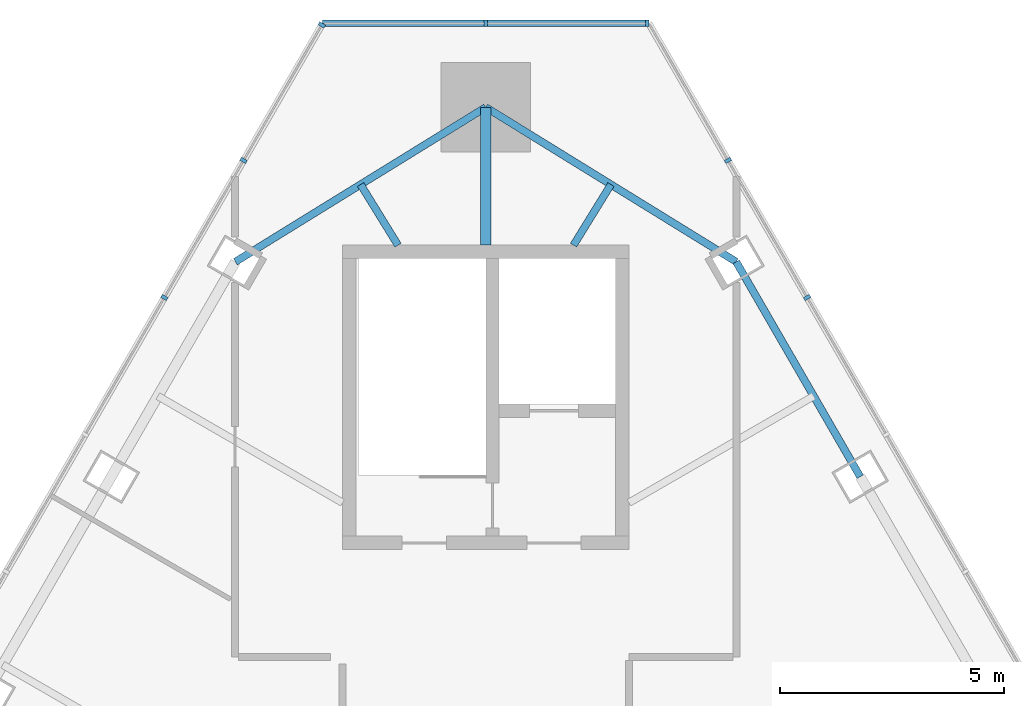
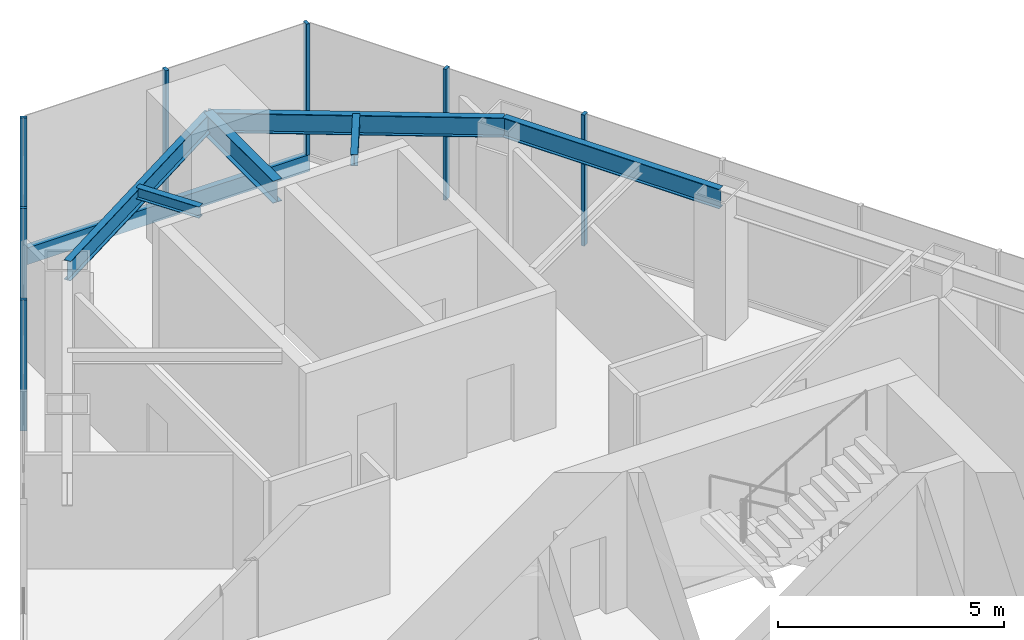
# One storey, part 9 of 13: 8 members, 6 beams, 3 elements without a shape of their own.
"""IFC4 building model written with IfcOpenShell, lengths in metres."""

import ifcopenshell
import ifcopenshell.guid

model = None  # the IFC model being written
_history = None  # IfcOwnerHistory: only IFC2X3 demands one
_inside = {}  # id of a spatial element -> (the spatial element, [elements in it])
_under = {}  # id of a project, library or spatial element -> (it, [spatial elements below it])
_declared = {}  # id of a project -> (the project, [libraries it declares])
_typed = {}  # id of a type object -> (the type object, [elements of that type])
_made_of = {}  # id of a material, layer set ... -> (it, [elements and type objects made of it])


def new_model(schema):
    """Start an empty IFC model of exactly this schema.

    Asked for "IFC4X3", IfcOpenShell would pick the latest addendum, in which some entities
    have other attributes; the version numbers below select the first issue.
    IFC2X3 requires an IfcOwnerHistory on every rooted entity: one is made here for all.
    """
    global model, _history
    if schema == "IFC4X3":
        model = ifcopenshell.file(schema_version=(4, 3, 0, 0))
    else:
        model = ifcopenshell.file(schema=schema)
    _inside.clear()
    _under.clear()
    _declared.clear()
    _typed.clear()
    _made_of.clear()
    _history = None
    if model.schema == "IFC2X3":
        org = make("IfcOrganization", Name="unknown")
        user = make(
            "IfcPersonAndOrganization",
            ThePerson=make("IfcPerson", FamilyName="unknown"),
            TheOrganization=org,
        )
        app = make(
            "IfcApplication",
            ApplicationDeveloper=org,
            Version="unknown",
            ApplicationFullName="unknown",
            ApplicationIdentifier="unknown",
        )
        _history = make(
            "IfcOwnerHistory",
            OwningUser=user,
            OwningApplication=app,
            ChangeAction="ADDED",
            CreationDate=0,
        )
    return model


def make(cls, **values):
    """One entity of the class cls with the attributes given. An attribute that is None is left unset."""
    return model.create_entity(
        cls, **{name: value for name, value in values.items() if value is not None}
    )


def rooted(cls, **values):
    """An entity with a GlobalId (a new one), such as an element, a storey or a relation."""
    return make(cls, GlobalId=ifcopenshell.guid.new(), OwnerHistory=_history, **values)


def si_unit(unit_type, name, prefix=None):
    """IfcSIUnit, for example si_unit("LENGTHUNIT", "METRE", prefix="MILLI")."""
    return make("IfcSIUnit", UnitType=unit_type, Prefix=prefix, Name=name)


def assignment(units):
    """IfcUnitAssignment: the units of a project."""
    return None if units is None else make("IfcUnitAssignment", Units=units)


def point(xyz):
    """IfcCartesianPoint."""
    return None if xyz is None else make("IfcCartesianPoint", Coordinates=xyz)


def direction(xyz):
    """IfcDirection."""
    return None if xyz is None else make("IfcDirection", DirectionRatios=xyz)


def frame(location, z_axis=None, x_axis=None):
    """IfcAxis2Placement3D, a coordinate frame: its origin and axes. An axis left out is left unset."""
    return make(
        "IfcAxis2Placement3D",
        Location=point(location),
        Axis=direction(z_axis),
        RefDirection=direction(x_axis),
    )


def frame_2d(location, x_axis=None):
    """IfcAxis2Placement2D, a coordinate frame in the plane: its origin and x axis."""
    return make(
        "IfcAxis2Placement2D", Location=point(location), RefDirection=direction(x_axis)
    )


def origin():
    """The frame at (0, 0, 0) with its axes left unset."""
    return frame((0.0, 0.0, 0.0))


def origin_2d():
    """The frame at (0, 0) in the plane with its x axis left unset."""
    return frame_2d((0.0, 0.0))


def place(relative_to, where):
    """IfcLocalPlacement: puts the frame where relative to a parent placement (None: the world)."""
    return make(
        "IfcLocalPlacement", PlacementRelTo=relative_to, RelativePlacement=where
    )


def context(
    kind, dimensions, precision=None, world=None, true_north=None, identifier=None
):
    """IfcGeometricRepresentationContext, for example the 3D "Model" context."""
    return make(
        "IfcGeometricRepresentationContext",
        ContextIdentifier=identifier,
        ContextType=kind,
        CoordinateSpaceDimension=dimensions,
        Precision=precision,
        WorldCoordinateSystem=world,
        TrueNorth=true_north,
    )


def subcontext(parent, identifier, kind, view, scale=None):
    """IfcGeometricRepresentationSubContext, for example "Body" below "Model"."""
    return make(
        "IfcGeometricRepresentationSubContext",
        ContextIdentifier=identifier,
        ContextType=kind,
        ParentContext=parent,
        TargetScale=scale,
        TargetView=view,
    )


def project(units=None, contexts=None):
    """IfcProject with its units and contexts."""
    return rooted(
        "IfcProject",
        Name="project",
        RepresentationContexts=contexts,
        UnitsInContext=assignment(units),
    )


def spatial(cls, under=None, at=None, **own):
    """A site, building, storey or space (cls), placed at a placement, below another one or the project."""
    s = rooted(cls, ObjectPlacement=at, **own)
    if under is not None:
        _under.setdefault(under.id(), (under, []))[1].append(s)
    return s


def profile(cls, at=None, kind="AREA", **sizes):
    """A parametric profile (cls). Its sizes go by their IFC names, for example OverallWidth=200.0."""
    return make(cls, ProfileType=kind, Position=at, **sizes)


def rectangle(**sizes):
    """IfcRectangleProfileDef."""
    return profile("IfcRectangleProfileDef", **sizes)


def i_section(**sizes):
    """IfcIShapeProfileDef."""
    return profile("IfcIShapeProfileDef", **sizes)


def extrude(swept, where, along, depth):
    """IfcExtrudedAreaSolid: the profile swept, set in the frame where, extruded along a direction by depth."""
    return make(
        "IfcExtrudedAreaSolid",
        SweptArea=swept,
        Position=where,
        ExtrudedDirection=direction(along),
        Depth=depth,
    )


def shape(context_of_items, identifier, shape_type, items):
    """IfcShapeRepresentation: the items that make up one representation, for example the "Body"."""
    return make(
        "IfcShapeRepresentation",
        ContextOfItems=context_of_items,
        RepresentationIdentifier=identifier,
        RepresentationType=shape_type,
        Items=items,
    )


def material(Name=None, Category=None):
    """IfcMaterial."""
    return make("IfcMaterial", Name=Name, Category=Category)


def layer(
    of_material, thickness, ventilated=None, Name=None, Category=None, Priority=None
):
    """IfcMaterialLayer: one layer of a wall or slab, of a material (None: an air gap)."""
    return make(
        "IfcMaterialLayer",
        Material=of_material,
        LayerThickness=thickness,
        IsVentilated=ventilated,
        Name=Name,
        Category=Category,
        Priority=Priority,
    )


def layer_set(layers, Name=None):
    """IfcMaterialLayerSet."""
    return make("IfcMaterialLayerSet", MaterialLayers=layers, LayerSetName=Name)


def material_profile(
    of_material, cross_section, Name=None, Category=None, Priority=None
):
    """IfcMaterialProfile: a cross section and its material."""
    return make(
        "IfcMaterialProfile",
        Name=Name,
        Material=of_material,
        Profile=cross_section,
        Priority=Priority,
        Category=Category,
    )


def profile_set(profiles, Name=None, composite=None):
    """IfcMaterialProfileSet."""
    return make(
        "IfcMaterialProfileSet",
        Name=Name,
        MaterialProfiles=profiles,
        CompositeProfile=composite,
    )


def made_of(thing, what):
    """Note that an element or type object is made of a material, layer set ...; save() writes the relation."""
    if what is not None:
        _made_of.setdefault(what.id(), (what, []))[1].append(thing)
    return thing


def type_object(cls, material=None, **own):
    """A type object (cls), such as IfcWallType, which elements share."""
    return made_of(rooted(cls, **own), material)


def element(
    cls,
    number,
    at=None,
    inside=None,
    cuts=None,
    type_object=None,
    material=None,
    context=None,
    identifier="Body",
    shape_type=None,
    held_by="IfcProductDefinitionShape",
    body=None,
    shapes=None,
    **own,
):
    """One element of the class cls, such as IfcWall. Its Tag is "e" and its number.

    at: its placement. inside: the storey or other place that contains it. cuts: it is an
    opening in that element (IfcRelVoidsElement). A single representation is given by context,
    identifier, shape_type and body (its items); several are given by shapes. held_by: the class
    of the entity that holds the representations. save() writes the other relations.
    """
    e = rooted(cls, Tag="e%d" % number, ObjectPlacement=at, **own)
    if body is not None:
        shapes = [shape(context, identifier, shape_type, body)]
    if shapes is not None:
        e.Representation = make(held_by, Representations=shapes)
    if inside is not None:
        _inside.setdefault(inside.id(), (inside, []))[1].append(e)
    if cuts is not None:
        rooted(
            "IfcRelVoidsElement", RelatingBuildingElement=cuts, RelatedOpeningElement=e
        )
    if type_object is not None:
        _typed.setdefault(type_object.id(), (type_object, []))[1].append(e)
    return made_of(e, material)


def aggregate(whole, parts):
    """IfcRelAggregates: a whole, such as a stair, and the parts it consists of."""
    return rooted("IfcRelAggregates", RelatingObject=whole, RelatedObjects=parts)


def save(model, path):
    """Write the relations noted so far, then the file.

    IfcRelAggregates (storeys below a building ...), IfcRelContainedInSpatialStructure (elements
    in a storey), IfcRelDefinesByType, IfcRelAssociatesMaterial and IfcRelDeclares: one each for
    every whole, place, type object, material and project.
    """
    for whole, parts in _under.values():
        aggregate(whole, parts)
    for where, things in _inside.values():
        rooted(
            "IfcRelContainedInSpatialStructure",
            RelatedElements=things,
            RelatingStructure=where,
        )
    for kind, things in _typed.values():
        rooted("IfcRelDefinesByType", RelatedObjects=things, RelatingType=kind)
    for what, things in _made_of.values():
        rooted("IfcRelAssociatesMaterial", RelatedObjects=things, RelatingMaterial=what)
    for by, libraries in _declared.values():
        rooted("IfcRelDeclares", RelatingContext=by, RelatedDefinitions=libraries)
    model.write(path)


model = new_model("IFC4")

# Units and contexts
model_context = context("Model", 3, precision=1e-05, world=origin(), true_north=direction((0.0, 1.0)))
body_context = subcontext(model_context, "Body", "Model", "MODEL_VIEW")
ifc_project = project(units=[si_unit("LENGTHUNIT", "METRE"), si_unit("AREAUNIT", "SQUARE_METRE"), si_unit("VOLUMEUNIT", "CUBIC_METRE"), si_unit("PLANEANGLEUNIT", "RADIAN"), si_unit("MASSUNIT", "GRAM", prefix="KILO")], contexts=[model_context])

# Site, building, storey
site_placement = place(None, origin())
site = spatial("IfcSite", under=ifc_project, at=site_placement, CompositionType="ELEMENT")
building_placement = place(site_placement, origin())
building = spatial("IfcBuilding", under=site, at=building_placement, Name="Firuza Gate Tower and Library", CompositionType="ELEMENT")
storey_placement = place(building_placement, frame((0.0, 0.0, 335.60009765625)))
storey = spatial("IfcBuildingStorey", under=building, at=storey_placement, Name="L82", CompositionType="ELEMENT", Elevation=335.60009765625)

# Curtain wall, members
ifc_material_1 = material(Name="Aluminium 6063-T6", Category="aluminium")
ifc_layer = layer(ifc_material_1, 0.14990234375)
ifc_layer_set = layer_set([ifc_layer], Name="Ceramic screen wall, crown plant")
curtain_wall_type = type_object("IfcCurtainWallType", Name="Ceramic screen wall, crown plant", PredefinedType="NOTDEFINED", material=ifc_layer_set)
placement = place(storey_placement, origin())
curtain_wall_1 = element("IfcCurtainWall", 1, at=placement, inside=storey, type_object=curtain_wall_type, Name="CW6 L82 E", PredefinedType="NOTDEFINED")
ifc_material_2 = material(Name="Aluminium 6063-T6", Category="aluminium")
ifc_material_profile_1 = material_profile(ifc_material_2, rectangle(XDim=0.14990234375, YDim=0.080078125, at=origin_2d()))
ifc_profile_set_1 = profile_set([ifc_material_profile_1], Name="Aluminium 6063-T6")
member_type_1 = type_object("IfcMemberType", Name="Curtain wall mullion 80x150", PredefinedType="MULLION", material=ifc_profile_set_1)
member_1_placement = place(storey_placement, frame((82.178466796875, 93.431640625, 0.14990234375), z_axis=(0.0, 0.0, 1.0), x_axis=(-0.866025403784, -0.5, 0.0)))
member_1 = element("IfcMember", 2, at=member_1_placement, type_object=member_type_1, Name="Mullion", PredefinedType="MULLION", context=body_context, shape_type="SweptSolid", body=[
    extrude(rectangle(XDim=0.14990234375, YDim=0.080078125, at=origin_2d()), origin(), (0.0, 0.0, 1.0), 3.550048828125),
])
member_2_placement = place(storey_placement, frame((80.410888671875, 96.4931640625, 0.14990234375), z_axis=(0.0, 0.0, 1.0), x_axis=(-0.866025403784, -0.5, 0.0)))
member_2 = element("IfcMember", 3, at=member_2_placement, type_object=member_type_1, Name="Mullion", PredefinedType="MULLION", context=body_context, shape_type="SweptSolid", body=[
    extrude(rectangle(XDim=0.14990234375, YDim=0.080078125, at=origin_2d()), origin(), (0.0, 0.0, 1.0), 3.550048828125),
])
aggregate(curtain_wall_1, [member_1, member_2])

curtain_wall_2 = element("IfcCurtainWall", 4, at=placement, inside=storey, type_object=curtain_wall_type, Name="CW6 L82 N", PredefinedType="NOTDEFINED")
member_3_placement = place(storey_placement, frame((78.603271484375, 99.5546875, 0.14990234375), z_axis=(0.0, 0.0, 1.0), x_axis=(0.0, -1.0, 0.0)))
member_3 = element("IfcMember", 5, at=member_3_placement, type_object=member_type_1, Name="Mullion", PredefinedType="MULLION", context=body_context, shape_type="SweptSolid", body=[
    extrude(rectangle(XDim=0.14990234375, YDim=0.080078125, at=origin_2d()), origin(), (0.0, 0.0, 1.0), 3.550048828125),
])
member_4_placement = place(storey_placement, frame((75.0, 99.5546875, 0.14990234375), z_axis=(0.0, 0.0, 1.0), x_axis=(0.0, -1.0, 0.0)))
member_4 = element("IfcMember", 6, at=member_4_placement, type_object=member_type_1, Name="Mullion", PredefinedType="MULLION", context=body_context, shape_type="SweptSolid", body=[
    extrude(rectangle(XDim=0.14990234375, YDim=0.080078125, at=origin_2d()), origin(), (0.0, 0.0, 1.0), 3.550048828125),
])

curtain_wall_3 = element("IfcCurtainWall", 7, at=placement, inside=storey, type_object=curtain_wall_type, Name="CW6 L82 W", PredefinedType="NOTDEFINED")
member_5_placement = place(storey_placement, frame((71.336669921875, 99.52001953125, 0.14990234375), z_axis=(0.0, 0.0, 1.0), x_axis=(0.866025403784, -0.5, 0.0)))
member_5 = element("IfcMember", 8, at=member_5_placement, type_object=member_type_1, Name="Mullion", PredefinedType="MULLION", context=body_context, shape_type="SweptSolid", body=[
    extrude(rectangle(XDim=0.14990234375, YDim=0.080078125, at=origin_2d()), origin(), (0.0, 0.0, 1.0), 3.550048828125),
])
member_6_placement = place(storey_placement, frame((69.589111328125, 96.4931640625, 0.14990234375), z_axis=(0.0, 0.0, 1.0), x_axis=(0.866025403784, -0.5, 0.0)))
member_6 = element("IfcMember", 9, at=member_6_placement, type_object=member_type_1, Name="Mullion", PredefinedType="MULLION", context=body_context, shape_type="SweptSolid", body=[
    extrude(rectangle(XDim=0.14990234375, YDim=0.080078125, at=origin_2d()), origin(), (0.0, 0.0, 1.0), 3.550048828125),
])
member_7_placement = place(storey_placement, frame((67.821533203125, 93.431640625, 0.14990234375), z_axis=(0.0, 0.0, 1.0), x_axis=(0.866025403784, -0.5, 0.0)))
member_7 = element("IfcMember", 10, at=member_7_placement, type_object=member_type_1, Name="Mullion", PredefinedType="MULLION", context=body_context, shape_type="SweptSolid", body=[
    extrude(rectangle(XDim=0.14990234375, YDim=0.080078125, at=origin_2d()), origin(), (0.0, 0.0, 1.0), 3.550048828125),
])
aggregate(curtain_wall_3, [member_5, member_6, member_7])

# Member
ifc_material_3 = material(Name="Aluminium 6063-T6", Category="aluminium")
ifc_material_profile_2 = material_profile(ifc_material_3, rectangle(XDim=0.14990234375, YDim=0.449951171875, at=origin_2d()))
ifc_profile_set_2 = profile_set([ifc_material_profile_2], Name="Aluminium 6063-T6")
member_type_2 = type_object("IfcMemberType", Name="Curtain wall transom 450x150", PredefinedType="USERDEFINED", material=ifc_profile_set_2)
member_8_placement = place(storey_placement, frame((78.643310546875, 99.5546875, -0.0751953125), z_axis=(-1.0, 0.0, 0.0), x_axis=(0.0, -1.0, 0.0)))
member_8 = element("IfcMember", 11, at=member_8_placement, type_object=member_type_2, Name="Transom", ObjectType="TRANSOM", PredefinedType="USERDEFINED", context=body_context, shape_type="SweptSolid", body=[
    extrude(rectangle(XDim=0.14990234375, YDim=0.449951171875, at=origin_2d()), origin(), (0.0, 0.0, 1.0), 7.28662109375),
])

aggregate(curtain_wall_2, [member_3, member_4, member_8])

# Beams
ifc_material_4 = material(Name="Steel S355", Category="steel")
ifc_material_profile_3 = material_profile(ifc_material_4, i_section(OverallWidth=0.1650390625, OverallDepth=0.31005859375, WebThickness=0.005859375, FlangeThickness=0.009765625, at=origin_2d()))
ifc_profile_set_3 = profile_set([ifc_material_profile_3], Name="Steel S355")
beam_type_1 = type_object("IfcBeamType", Name="W310x39 Floor beam", PredefinedType="JOIST", material=ifc_profile_set_3)
for number, where, z_axis, x_axis, name in (
    (12, (77.7958984375, 95.95458984375, 3.544921875), (-0.525081324585, -0.851052056324, 0.0), (0.851052056324, -0.525081324585, 0.0), "Floor beam L82 s60"),
    (13, (72.2041015625, 95.95458984375, 3.544921875), (0.525081324585, -0.851052056324, 0.0), (0.851052056324, 0.525081324585, 0.0), "Floor beam L82 s70"),
):
    element("IfcBeam", number, at=place(storey_placement, frame(where, z_axis=z_axis, x_axis=x_axis)), inside=storey, type_object=beam_type_1, Name=name, PredefinedType="JOIST", context=body_context, shape_type="SweptSolid", body=[
        extrude(i_section(OverallWidth=0.1650390625, OverallDepth=0.31005859375, WebThickness=0.005859375, FlangeThickness=0.009765625, at=origin_2d()), origin(), (0.0, 0.0, 1.0), 1.591552734375),
    ])
ifc_material_5 = material(Name="Steel S355", Category="steel")
ifc_material_profile_4 = material_profile(ifc_material_5, i_section(OverallWidth=0.166015625, OverallDepth=0.534912109375, WebThickness=0.01025390625, FlangeThickness=0.0166015625, at=origin_2d()))
ifc_profile_set_4 = profile_set([ifc_material_profile_4], Name="Steel S355")
beam_type_2 = type_object("IfcBeamType", Name="W530x85 Edge beam", PredefinedType="SPANDREL", material=ifc_profile_set_4)
beam_1_placement = place(storey_placement, frame((83.363525390625, 89.42919921875, 3.432373046875), z_axis=(-0.500004591975, 0.86602275259, 0.0), x_axis=(-0.86602275259, -0.500004591975, 0.0)))
element("IfcBeam", 14, at=beam_1_placement, inside=storey, type_object=beam_type_2, Name="Edge beam L82 e54", PredefinedType="SPANDREL", context=body_context, shape_type="SweptSolid", body=[
    extrude(i_section(OverallWidth=0.166015625, OverallDepth=0.534912109375, WebThickness=0.01025390625, FlangeThickness=0.0166015625, at=origin_2d()), origin(), (0.0, 0.0, 1.0), 5.54296875),
])
for number, where, z_axis, x_axis, name in (
    (15, (80.592041015625, 94.2294921875, 3.432373046875), (-0.851050497094, 0.525083851776, 0.0), (-0.525083851776, -0.851050497094, 0.0), "Edge beam L82 e60"),
    (16, (75.0, 97.6796875, 3.432373046875), (-0.851050497094, -0.525083851776, 0.0), (0.525083851776, -0.851050497094, 0.0), "Edge beam L82 e70"),
):
    element("IfcBeam", number, at=place(storey_placement, frame(where, z_axis=z_axis, x_axis=x_axis)), inside=storey, type_object=beam_type_2, Name=name, PredefinedType="SPANDREL", context=body_context, shape_type="SweptSolid", body=[
        extrude(i_section(OverallWidth=0.166015625, OverallDepth=0.534912109375, WebThickness=0.01025390625, FlangeThickness=0.0166015625, at=origin_2d()), origin(), (0.0, 0.0, 1.0), 6.57080078125),
    ])
ifc_material_6 = material(Name="Steel S355", Category="steel")
ifc_material_profile_5 = material_profile(ifc_material_6, i_section(OverallWidth=0.22802734375, OverallDepth=0.60302734375, WebThickness=0.010498046875, FlangeThickness=0.014892578125, at=origin_2d()))
ifc_profile_set_5 = profile_set([ifc_material_profile_5], Name="Steel S355")
beam_type_3 = type_object("IfcBeamType", Name="W610x101 Girder", PredefinedType="BEAM", material=ifc_profile_set_5)
beam_2_placement = place(storey_placement, frame((75.0, 97.6796875, 3.3984375), z_axis=(0.0, -1.0, 0.0), x_axis=(1.0, 0.0, 0.0)))
element("IfcBeam", 17, at=beam_2_placement, inside=storey, type_object=beam_type_3, Name="Girder L82 gN", PredefinedType="BEAM", context=body_context, shape_type="SweptSolid", body=[
    extrude(i_section(OverallWidth=0.22802734375, OverallDepth=0.60302734375, WebThickness=0.010498046875, FlangeThickness=0.014892578125, at=origin_2d()), origin(), (0.0, 0.0, 1.0), 3.07958984375),
])

save(model, "model.ifc")
